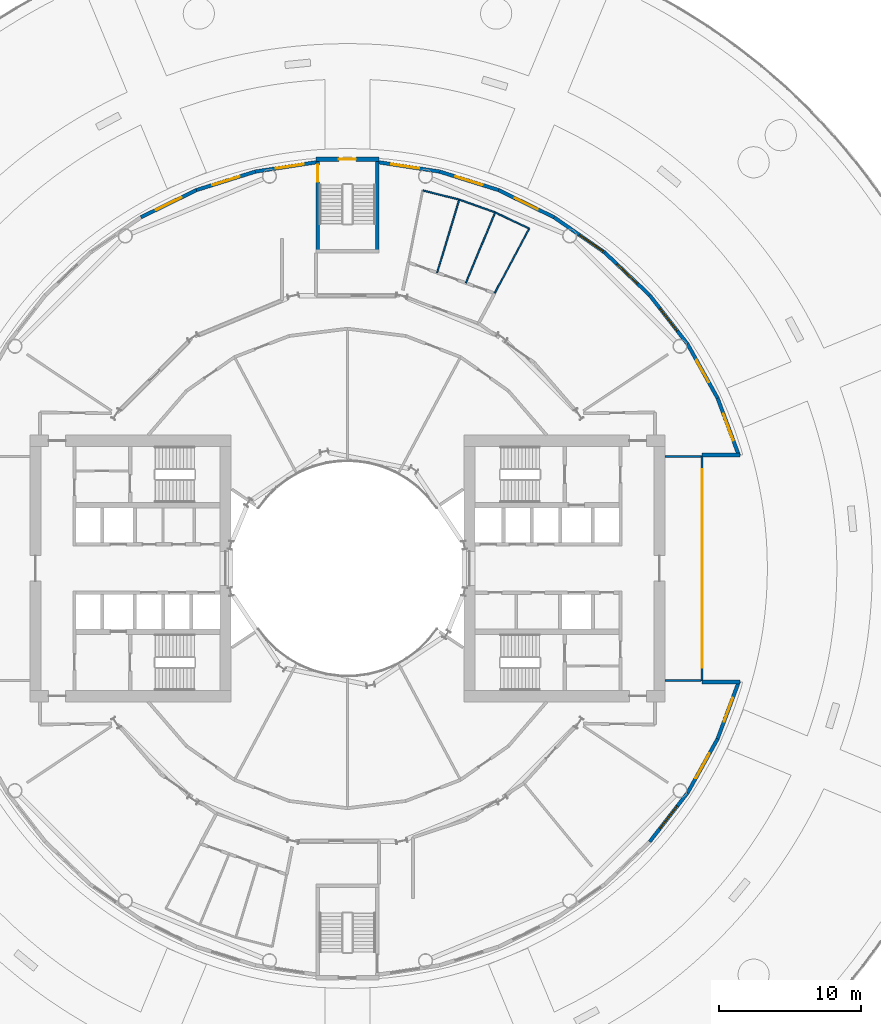
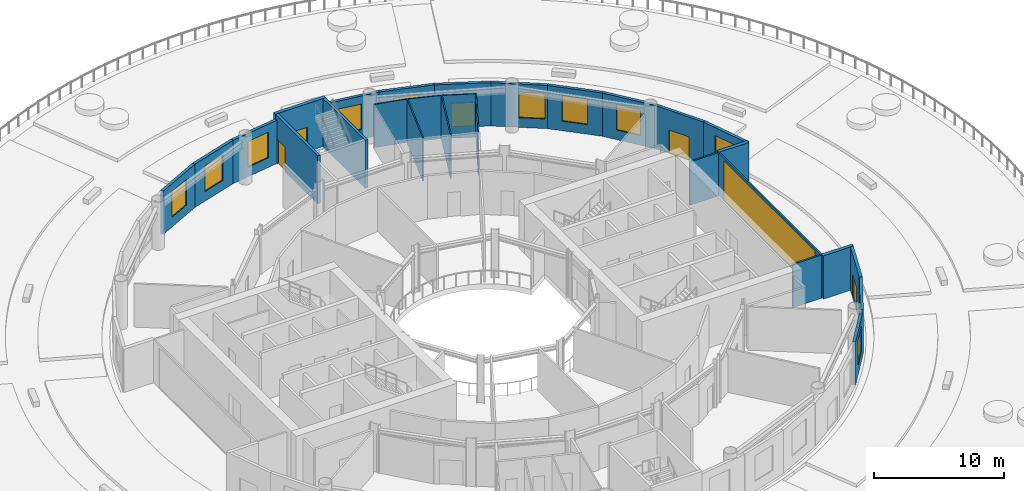
# One storey, part 15 of 19: 28 walls, 12 windows, 5 doors, 17 openings.
"""IFC4 building model written with IfcOpenShell, lengths in metres."""

from ifc_helpers import new_model, si_unit, direction, frame, frame_2d, origin, place, context, subcontext, project, spatial, rectangle, extrude, material, layer, layer_set, type_object, element, fill, save


model = new_model("IFC4")

# Units and contexts
model_context = context("Model", 3, precision=1e-05, world=origin(), true_north=direction((0.0, 1.0)))
body_context = subcontext(model_context, "Body", "Model", "MODEL_VIEW")
ifc_project = project(units=[si_unit("LENGTHUNIT", "METRE"), si_unit("AREAUNIT", "SQUARE_METRE"), si_unit("VOLUMEUNIT", "CUBIC_METRE"), si_unit("PLANEANGLEUNIT", "RADIAN"), si_unit("MASSUNIT", "GRAM", prefix="KILO")], contexts=[model_context])

# Site, building, storey
site_placement = place(None, origin())
site = spatial("IfcSite", under=ifc_project, at=site_placement, CompositionType="ELEMENT")
building_placement = place(site_placement, origin())
building = spatial("IfcBuilding", under=site, at=building_placement, Name="Maasbend Ring Residences", CompositionType="ELEMENT")
storey_placement = place(building_placement, frame((0.0, 0.0, 9.60009765625)))
storey = spatial("IfcBuildingStorey", under=building, at=storey_placement, Name="L02", CompositionType="ELEMENT", Elevation=9.60009765625)

# Wall, opening, door
ifc_material_1 = material(Name="Concrete C70/85", Category="concrete")
ifc_layer_1 = layer(ifc_material_1, 0.25)
ifc_layer_set_1 = layer_set([ifc_layer_1], Name="Concrete C70/85")
wall_type_1 = type_object("IfcWallType", Name="CORE WALL 250 C70/85", PredefinedType="SHEAR", material=ifc_layer_set_1)
wall_1_placement = place(storey_placement, frame((-2.10009765625, 28.699951171875, 0.0), z_axis=(0.0, 0.0, 1.0), x_axis=(0.0, -1.0, 0.0)))
wall_1 = element("IfcWall", 1, at=wall_1_placement, inside=storey, type_object=wall_type_1, Name="L02 ST-P4 enclosure wall WS+", PredefinedType="SHEAR", context=body_context, shape_type="SweptSolid", body=[
    extrude(rectangle(XDim=6.449951171875, YDim=0.25, at=frame_2d((3.22509765625, 0.0))), origin(), (0.0, 0.0, 1.0), 4.5),
])
opening_1_placement = place(wall_1_placement, frame((0.25, 0.0, 0.0)))
opening_1 = element("IfcOpeningElement", 2, at=opening_1_placement, cuts=wall_1, Name="Opening D-P402S", PredefinedType="OPENING", context=body_context, shape_type="SweptSolid", body=[
    extrude(rectangle(XDim=1.199951171875, YDim=2.300048828125, at=frame_2d((0.60009765625, 1.14990234375))), frame((0.0, 0.135009765625, 0.0), z_axis=(0.0, -1.0, 0.0), x_axis=(1.0, 0.0, 0.0)), (0.0, 0.0, 1.0), 0.27001953125),
])
ifc_material_2 = material(Name="Steel, powder coated", Category="steel")
door_type_1 = type_object("IfcDoorType", Name="STAIR DOOR 1200 X 2300 FD60", OperationType="NOTDEFINED", PredefinedType="DOOR", material=ifc_material_2)
door_1_placement = place(opening_1_placement, origin())
door_1 = element("IfcDoor", 3, at=door_1_placement, inside=storey, type_object=door_type_1, Name="Stair door ST-P4 L02", OperationType="SINGLE_SWING_RIGHT", OverallHeight=2.300048828125, OverallWidth=1.199951171875, PredefinedType="DOOR", context=body_context, shape_type="SweptSolid", body=[
    extrude(rectangle(XDim=1.199951171875, YDim=2.300048828125, at=frame_2d((0.60009765625, 1.14990234375))), frame((0.0, 0.02490234375, 0.0), z_axis=(0.0, -1.0, 0.0), x_axis=(1.0, 0.0, 0.0)), (0.0, 0.0, 1.0), 0.050048828125),
])
fill(opening_1, door_1)

# Wall
wall_2_placement = place(storey_placement, frame((2.10009765625, 22.25, 0.0), z_axis=(0.0, 0.0, 1.0), x_axis=(0.0, 1.0, 0.0)))
element("IfcWall", 4, at=wall_2_placement, inside=storey, type_object=wall_type_1, Name="L02 ST-P4 enclosure wall WS-", PredefinedType="SHEAR", context=body_context, shape_type="SweptSolid", body=[
    extrude(rectangle(XDim=6.449951171875, YDim=0.25, at=frame_2d((3.22509765625, 0.0))), origin(), (0.0, 0.0, 1.0), 4.5),
])

# Wall, opening, door
ifc_material_3 = material(Name="Concrete C70/85", Category="concrete")
ifc_layer_2 = layer(ifc_material_3, 0.300048828125)
ifc_layer_set_2 = layer_set([ifc_layer_2], Name="Concrete C70/85")
wall_type_2 = type_object("IfcWallType", Name="CORE WALL 300 C70/85", PredefinedType="SHEAR", material=ifc_layer_set_2)
wall_3_placement = place(storey_placement, frame((-2.22509765625, 28.85009765625, 0.0), z_axis=(0.0, 0.0, 1.0), x_axis=(1.0, 0.0, 0.0)))
wall_3 = element("IfcWall", 5, at=wall_3_placement, inside=storey, type_object=wall_type_2, Name="L02 ST-P4 enclosure wall WOUT", PredefinedType="SHEAR", context=body_context, shape_type="SweptSolid", body=[
    extrude(rectangle(XDim=4.4501953125, YDim=0.300048828125, at=frame_2d((2.22509765625, 0.0))), origin(), (0.0, 0.0, 1.0), 4.5),
])
opening_2_placement = place(wall_3_placement, frame((1.625, 0.0, 0.0)))
opening_2 = element("IfcOpeningElement", 6, at=opening_2_placement, cuts=wall_3, Name="Opening D-P402O", PredefinedType="OPENING", context=body_context, shape_type="SweptSolid", body=[
    extrude(rectangle(XDim=1.199951171875, YDim=2.300048828125, at=frame_2d((0.60009765625, 1.14990234375))), frame((0.0, 0.16015625, 0.0), z_axis=(0.0, -1.0, 0.0), x_axis=(1.0, 0.0, 0.0)), (0.0, 0.0, 1.0), 0.320068359375),
])
door_2_placement = place(opening_2_placement, origin())
door_2 = element("IfcDoor", 7, at=door_2_placement, inside=storey, type_object=door_type_1, Name="Stair door ST-P4 L02", OperationType="SINGLE_SWING_LEFT", OverallHeight=2.300048828125, OverallWidth=1.199951171875, PredefinedType="DOOR", context=body_context, shape_type="SweptSolid", body=[
    extrude(rectangle(XDim=1.199951171875, YDim=2.300048828125, at=frame_2d((0.60009765625, 1.14990234375))), frame((0.0, 0.02490234375, 0.0), z_axis=(0.0, -1.0, 0.0), x_axis=(1.0, 0.0, 0.0)), (0.0, 0.0, 1.0), 0.050048828125),
])
fill(opening_2, door_2)

# Wall, opening, window
ifc_material_4 = material(Name="Aluminium clad insulated panel", Category="aluminium")
ifc_layer_3 = layer(ifc_material_4, 0.25)
ifc_layer_set_3 = layer_set([ifc_layer_3], Name="EW-GL")
wall_type_3 = type_object("IfcWallType", Name="EW-GL", PredefinedType="SOLIDWALL", material=ifc_layer_set_3)
wall_4_placement = place(storey_placement, frame((27.610107421875, 7.924072265625, 0.0), z_axis=(0.0, 0.0, 1.0), x_axis=(-0.348003729264, 0.937493148998, 0.0)))
wall_4 = element("IfcWall", 8, at=wall_4_placement, inside=storey, type_object=wall_type_3, Name="Community floor wall 01", PredefinedType="SOLIDWALL", context=body_context, shape_type="SweptSolid", body=[
    extrude(rectangle(XDim=4.359375, YDim=0.25, at=frame_2d((2.1796875, 0.0))), origin(), (0.0, 0.0, 1.0), 4.0498046875),
])
opening_3_placement = place(wall_4_placement, frame((1.179931640625, 0.0, 0.89990234375)))
opening_3 = element("IfcOpeningElement", 9, at=opening_3_placement, cuts=wall_4, Name="Opening W-BD", PredefinedType="OPENING", context=body_context, shape_type="SweptSolid", body=[
    extrude(rectangle(XDim=2.0, YDim=2.39990234375, at=frame_2d((1.0, 1.199951171875))), frame((0.0, 0.135009765625, 0.0), z_axis=(0.0, -1.0, 0.0), x_axis=(1.0, 0.0, 0.0)), (0.0, 0.0, 1.0), 0.27001953125),
])
ifc_material_5 = material(Name="Aluminium and clear glass", Category="aluminium")
window_type_1 = type_object("IfcWindowType", Name="W-BD", PartitioningType="DOUBLE_PANEL_VERTICAL", PredefinedType="WINDOW", material=ifc_material_5)
window_1_placement = place(opening_3_placement, origin())
window_1 = element("IfcWindow", 10, at=window_1_placement, inside=storey, type_object=window_type_1, Name="Community floor window 01", OverallHeight=2.39990234375, OverallWidth=2.0, PartitioningType="SINGLE_PANEL", PredefinedType="WINDOW", context=body_context, shape_type="SweptSolid", body=[
    extrude(rectangle(XDim=2.0, YDim=2.39990234375, at=frame_2d((1.0, 1.199951171875))), frame((0.0, 0.030029296875, 0.0), z_axis=(0.0, -1.0, 0.0), x_axis=(1.0, 0.0, 0.0)), (0.0, 0.0, 1.0), 0.06005859375),
])
fill(opening_3, window_1)

# Wall, opening, door
wall_5_placement = place(storey_placement, frame((26.093017578125, 12.010986328125, 0.0), z_axis=(0.0, 0.0, 1.0), x_axis=(-0.485761785263, 0.8740912355, 0.0)))
wall_5 = element("IfcWall", 11, at=wall_5_placement, inside=storey, type_object=wall_type_3, Name="Community floor wall 02", PredefinedType="SOLIDWALL", context=body_context, shape_type="SweptSolid", body=[
    extrude(rectangle(XDim=4.360107421875, YDim=0.25, at=frame_2d((2.18017578125, 0.0))), origin(), (0.0, 0.0, 1.0), 4.0498046875),
])
opening_4_placement = place(wall_5_placement, frame((1.27978515625, 0.0, 0.0)))
opening_4 = element("IfcOpeningElement", 12, at=opening_4_placement, cuts=wall_5, Name="Opening D-DK", PredefinedType="OPENING", context=body_context, shape_type="SweptSolid", body=[
    extrude(rectangle(XDim=1.800048828125, YDim=2.199951171875, at=frame_2d((0.89990234375, 1.10009765625))), frame((0.0, 0.135009765625, 0.0), z_axis=(0.0, -1.0, 0.0), x_axis=(1.0, 0.0, 0.0)), (0.0, 0.0, 1.0), 0.27001953125),
])
ifc_material_6 = material(Name="Aluminium and clear glass", Category="aluminium")
door_type_2 = type_object("IfcDoorType", Name="D-DK", OperationType="DOUBLE_DOOR_SINGLE_SWING", PredefinedType="DOOR", material=ifc_material_6)
door_3_placement = place(opening_4_placement, origin())
door_3 = element("IfcDoor", 13, at=door_3_placement, inside=storey, type_object=door_type_2, Name="Deck door 02", OperationType="SINGLE_SWING_LEFT", OverallHeight=2.199951171875, OverallWidth=1.800048828125, PredefinedType="DOOR", context=body_context, shape_type="SweptSolid", body=[
    extrude(rectangle(XDim=1.800048828125, YDim=2.199951171875, at=frame_2d((0.89990234375, 1.10009765625))), frame((0.0, 0.02490234375, 0.0), z_axis=(0.0, -1.0, 0.0), x_axis=(1.0, 0.0, 0.0)), (0.0, 0.0, 1.0), 0.050048828125),
])
fill(opening_4, door_3)

# Wall, opening, window
wall_6_placement = place(storey_placement, frame((23.97509765625, 15.822021484375, 0.0), z_axis=(0.0, 0.0, 1.0), x_axis=(-0.612637256412, 0.790364214812, 0.0)))
wall_6 = element("IfcWall", 14, at=wall_6_placement, inside=storey, type_object=wall_type_3, Name="Community floor wall 03", PredefinedType="SOLIDWALL", context=body_context, shape_type="SweptSolid", body=[
    extrude(rectangle(XDim=4.360107421875, YDim=0.25, at=frame_2d((2.18017578125, 0.0))), origin(), (0.0, 0.0, 1.0), 4.0498046875),
])
opening_5_placement = place(wall_6_placement, frame((1.179931640625, 0.0, 0.89990234375)))
opening_5 = element("IfcOpeningElement", 15, at=opening_5_placement, cuts=wall_6, Name="Opening W-BD", PredefinedType="OPENING", context=body_context, shape_type="SweptSolid", body=[
    extrude(rectangle(XDim=2.0, YDim=2.39990234375, at=frame_2d((1.0, 1.199951171875))), frame((0.0, 0.135009765625, 0.0), z_axis=(0.0, -1.0, 0.0), x_axis=(1.0, 0.0, 0.0)), (0.0, 0.0, 1.0), 0.27001953125),
])
window_2_placement = place(opening_5_placement, origin())
window_2 = element("IfcWindow", 16, at=window_2_placement, inside=storey, type_object=window_type_1, Name="Community floor window 03", OverallHeight=2.39990234375, OverallWidth=2.0, PartitioningType="SINGLE_PANEL", PredefinedType="WINDOW", context=body_context, shape_type="SweptSolid", body=[
    extrude(rectangle(XDim=2.0, YDim=2.39990234375, at=frame_2d((1.0, 1.199951171875))), frame((0.0, 0.030029296875, 0.0), z_axis=(0.0, -1.0, 0.0), x_axis=(1.0, 0.0, 0.0)), (0.0, 0.0, 1.0), 0.06005859375),
])
fill(opening_5, window_2)

wall_7_placement = place(storey_placement, frame((21.303955078125, 19.26806640625, 0.0), z_axis=(0.0, 0.0, 1.0), x_axis=(-0.725101501119, 0.68864200647, 0.0)))
wall_7 = element("IfcWall", 17, at=wall_7_placement, inside=storey, type_object=wall_type_3, Name="Community floor wall 04", PredefinedType="SOLIDWALL", context=body_context, shape_type="SweptSolid", body=[
    extrude(rectangle(XDim=4.359130859375, YDim=0.25, at=frame_2d((2.1796875, 0.0))), origin(), (0.0, 0.0, 1.0), 4.0498046875),
])
opening_6_placement = place(wall_7_placement, frame((1.179931640625, 0.0, 0.89990234375)))
opening_6 = element("IfcOpeningElement", 18, at=opening_6_placement, cuts=wall_7, Name="Opening W-BD", PredefinedType="OPENING", context=body_context, shape_type="SweptSolid", body=[
    extrude(rectangle(XDim=2.0, YDim=2.39990234375, at=frame_2d((1.0, 1.199951171875))), frame((0.0, 0.135009765625, 0.0), z_axis=(0.0, -1.0, 0.0), x_axis=(1.0, 0.0, 0.0)), (0.0, 0.0, 1.0), 0.27001953125),
])
window_3_placement = place(opening_6_placement, origin())
window_3 = element("IfcWindow", 19, at=window_3_placement, inside=storey, type_object=window_type_1, Name="Community floor window 04", OverallHeight=2.39990234375, OverallWidth=2.0, PartitioningType="SINGLE_PANEL", PredefinedType="WINDOW", context=body_context, shape_type="SweptSolid", body=[
    extrude(rectangle(XDim=2.0, YDim=2.39990234375, at=frame_2d((1.0, 1.199951171875))), frame((0.0, 0.030029296875, 0.0), z_axis=(0.0, -1.0, 0.0), x_axis=(1.0, 0.0, 0.0)), (0.0, 0.0, 1.0), 0.06005859375),
])
fill(opening_6, window_3)

wall_8_placement = place(storey_placement, frame((18.14306640625, 22.27001953125, 0.0), z_axis=(0.0, 0.0, 1.0), x_axis=(-0.820990800869, 0.57094141984, 0.0)))
wall_8 = element("IfcWall", 20, at=wall_8_placement, inside=storey, type_object=wall_type_3, Name="Community floor wall 05", PredefinedType="SOLIDWALL", context=body_context, shape_type="SweptSolid", body=[
    extrude(rectangle(XDim=4.359375, YDim=0.25, at=frame_2d((2.1796875, 0.0))), origin(), (0.0, 0.0, 1.0), 4.0498046875),
])
opening_7_placement = place(wall_8_placement, frame((0.177001953125, 0.0, 0.89990234375)))
opening_7 = element("IfcOpeningElement", 21, at=opening_7_placement, cuts=wall_8, Name="Opening W-BD", PredefinedType="OPENING", context=body_context, shape_type="SweptSolid", body=[
    extrude(rectangle(XDim=2.0, YDim=2.39990234375, at=frame_2d((1.0, 1.199951171875))), frame((0.0, 0.135009765625, 0.0), z_axis=(0.0, -1.0, 0.0), x_axis=(1.0, 0.0, 0.0)), (0.0, 0.0, 1.0), 0.27001953125),
])
window_4_placement = place(opening_7_placement, origin())
window_4 = element("IfcWindow", 22, at=window_4_placement, inside=storey, type_object=window_type_1, Name="Community floor window 05", OverallHeight=2.39990234375, OverallWidth=2.0, PartitioningType="SINGLE_PANEL", PredefinedType="WINDOW", context=body_context, shape_type="SweptSolid", body=[
    extrude(rectangle(XDim=2.0, YDim=2.39990234375, at=frame_2d((1.0, 1.199951171875))), frame((0.0, 0.030029296875, 0.0), z_axis=(0.0, -1.0, 0.0), x_axis=(1.0, 0.0, 0.0)), (0.0, 0.0, 1.0), 0.06005859375),
])
fill(opening_7, window_4)

# Wall, opening, door
wall_9_placement = place(storey_placement, frame((14.56396484375, 24.759033203125, 0.0), z_axis=(0.0, 0.0, 1.0), x_axis=(-0.897938079481, 0.440121807478, 0.0)))
wall_9 = element("IfcWall", 23, at=wall_9_placement, inside=storey, type_object=wall_type_3, Name="Community floor wall 06", PredefinedType="SOLIDWALL", context=body_context, shape_type="SweptSolid", body=[
    extrude(rectangle(XDim=4.360107421875, YDim=0.25, at=frame_2d((2.18017578125, 0.0))), origin(), (0.0, 0.0, 1.0), 4.0498046875),
])
opening_8_placement = place(wall_9_placement, frame((1.27978515625, 0.0, 0.0)))
opening_8 = element("IfcOpeningElement", 24, at=opening_8_placement, cuts=wall_9, Name="Opening D-DK", PredefinedType="OPENING", context=body_context, shape_type="SweptSolid", body=[
    extrude(rectangle(XDim=1.800048828125, YDim=2.199951171875, at=frame_2d((0.89990234375, 1.10009765625))), frame((0.0, 0.135009765625, 0.0), z_axis=(0.0, -1.0, 0.0), x_axis=(1.0, 0.0, 0.0)), (0.0, 0.0, 1.0), 0.27001953125),
])
door_4_placement = place(opening_8_placement, origin())
door_4 = element("IfcDoor", 25, at=door_4_placement, inside=storey, type_object=door_type_2, Name="Deck door 06", OperationType="SINGLE_SWING_LEFT", OverallHeight=2.199951171875, OverallWidth=1.800048828125, PredefinedType="DOOR", context=body_context, shape_type="SweptSolid", body=[
    extrude(rectangle(XDim=1.800048828125, YDim=2.199951171875, at=frame_2d((0.89990234375, 1.10009765625))), frame((0.0, 0.02490234375, 0.0), z_axis=(0.0, -1.0, 0.0), x_axis=(1.0, 0.0, 0.0)), (0.0, 0.0, 1.0), 0.050048828125),
])
fill(opening_8, door_4)

# Wall, opening, window
wall_10_placement = place(storey_placement, frame((10.64892578125, 26.677978515625, 0.0), z_axis=(0.0, 0.0, 1.0), x_axis=(-0.954219534331, 0.299107138498, 0.0)))
wall_10 = element("IfcWall", 26, at=wall_10_placement, inside=storey, type_object=wall_type_3, Name="Community floor wall 07", PredefinedType="SOLIDWALL", context=body_context, shape_type="SweptSolid", body=[
    extrude(rectangle(XDim=4.359375, YDim=0.25, at=frame_2d((2.1796875, 0.0))), origin(), (0.0, 0.0, 1.0), 4.0498046875),
])
opening_9_placement = place(wall_10_placement, frame((1.179931640625, 0.0, 0.89990234375)))
opening_9 = element("IfcOpeningElement", 27, at=opening_9_placement, cuts=wall_10, Name="Opening W-BD", PredefinedType="OPENING", context=body_context, shape_type="SweptSolid", body=[
    extrude(rectangle(XDim=2.0, YDim=2.39990234375, at=frame_2d((1.0, 1.199951171875))), frame((0.0, 0.135009765625, 0.0), z_axis=(0.0, -1.0, 0.0), x_axis=(1.0, 0.0, 0.0)), (0.0, 0.0, 1.0), 0.27001953125),
])
window_5_placement = place(opening_9_placement, origin())
window_5 = element("IfcWindow", 28, at=window_5_placement, inside=storey, type_object=window_type_1, Name="Community floor window 07", OverallHeight=2.39990234375, OverallWidth=2.0, PartitioningType="SINGLE_PANEL", PredefinedType="WINDOW", context=body_context, shape_type="SweptSolid", body=[
    extrude(rectangle(XDim=2.0, YDim=2.39990234375, at=frame_2d((1.0, 1.199951171875))), frame((0.0, 0.030029296875, 0.0), z_axis=(0.0, -1.0, 0.0), x_axis=(1.0, 0.0, 0.0)), (0.0, 0.0, 1.0), 0.06005859375),
])
fill(opening_9, window_5)

wall_11_placement = place(storey_placement, frame((6.489013671875, 27.98193359375, 0.0), z_axis=(0.0, 0.0, 1.0), x_axis=(-0.988472895049, 0.151397938406, 0.0)))
wall_11 = element("IfcWall", 29, at=wall_11_placement, inside=storey, type_object=wall_type_3, Name="Community floor wall 08a", PredefinedType="SOLIDWALL", context=body_context, shape_type="SweptSolid", body=[
    extrude(rectangle(XDim=4.313720703125, YDim=0.25, at=frame_2d((2.15673828125, 0.0))), origin(), (0.0, 0.0, 1.0), 4.0498046875),
])
opening_10_placement = place(wall_11_placement, frame((1.455322265625, 0.0, 0.89990234375)))
opening_10 = element("IfcOpeningElement", 30, at=opening_10_placement, cuts=wall_11, Name="Opening W-BD", PredefinedType="OPENING", context=body_context, shape_type="SweptSolid", body=[
    extrude(rectangle(XDim=2.0, YDim=2.39990234375, at=frame_2d((1.0, 1.199951171875))), frame((0.0, 0.135009765625, 0.0), z_axis=(0.0, -1.0, 0.0), x_axis=(1.0, 0.0, 0.0)), (0.0, 0.0, 1.0), 0.27001953125),
])
window_6_placement = place(opening_10_placement, origin())
window_6 = element("IfcWindow", 31, at=window_6_placement, inside=storey, type_object=window_type_1, Name="Community floor window 08a", OverallHeight=2.39990234375, OverallWidth=2.0, PartitioningType="SINGLE_PANEL", PredefinedType="WINDOW", context=body_context, shape_type="SweptSolid", body=[
    extrude(rectangle(XDim=2.0, YDim=2.39990234375, at=frame_2d((1.0, 1.199951171875))), frame((0.0, 0.030029296875, 0.0), z_axis=(0.0, -1.0, 0.0), x_axis=(1.0, 0.0, 0.0)), (0.0, 0.0, 1.0), 0.06005859375),
])
fill(opening_10, window_6)

wall_12_placement = place(storey_placement, frame((-2.22509765625, 28.635009765625, 0.0), z_axis=(0.0, 0.0, 1.0), x_axis=(-0.988472895049, -0.151397938406, 0.0)))
wall_12 = element("IfcWall", 32, at=wall_12_placement, inside=storey, type_object=wall_type_3, Name="Community floor wall 10a", PredefinedType="SOLIDWALL", context=body_context, shape_type="SweptSolid", body=[
    extrude(rectangle(XDim=4.313720703125, YDim=0.25, at=frame_2d((2.15673828125, 0.0))), origin(), (0.0, 0.0, 1.0), 4.0498046875),
])
opening_11_placement = place(wall_12_placement, frame((0.858642578125, 0.0, 0.89990234375)))
opening_11 = element("IfcOpeningElement", 33, at=opening_11_placement, cuts=wall_12, Name="Opening W-BD", PredefinedType="OPENING", context=body_context, shape_type="SweptSolid", body=[
    extrude(rectangle(XDim=2.0, YDim=2.39990234375, at=frame_2d((1.0, 1.199951171875))), frame((0.0, 0.135009765625, 0.0), z_axis=(0.0, -1.0, 0.0), x_axis=(1.0, 0.0, 0.0)), (0.0, 0.0, 1.0), 0.27001953125),
])
window_7_placement = place(opening_11_placement, origin())
window_7 = element("IfcWindow", 34, at=window_7_placement, inside=storey, type_object=window_type_1, Name="Community floor window 10a", OverallHeight=2.39990234375, OverallWidth=2.0, PartitioningType="SINGLE_PANEL", PredefinedType="WINDOW", context=body_context, shape_type="SweptSolid", body=[
    extrude(rectangle(XDim=2.0, YDim=2.39990234375, at=frame_2d((1.0, 1.199951171875))), frame((0.0, 0.030029296875, 0.0), z_axis=(0.0, -1.0, 0.0), x_axis=(1.0, 0.0, 0.0)), (0.0, 0.0, 1.0), 0.06005859375),
])
fill(opening_11, window_7)

wall_13_placement = place(storey_placement, frame((-6.489013671875, 27.98193359375, 0.0), z_axis=(0.0, 0.0, 1.0), x_axis=(-0.954219534331, -0.299107138498, 0.0)))
wall_13 = element("IfcWall", 35, at=wall_13_placement, inside=storey, type_object=wall_type_3, Name="Community floor wall 11", PredefinedType="SOLIDWALL", context=body_context, shape_type="SweptSolid", body=[
    extrude(rectangle(XDim=4.359375, YDim=0.25, at=frame_2d((2.1796875, 0.0))), origin(), (0.0, 0.0, 1.0), 4.0498046875),
])
opening_12_placement = place(wall_13_placement, frame((1.179931640625, 0.0, 0.89990234375)))
opening_12 = element("IfcOpeningElement", 36, at=opening_12_placement, cuts=wall_13, Name="Opening W-BD", PredefinedType="OPENING", context=body_context, shape_type="SweptSolid", body=[
    extrude(rectangle(XDim=2.0, YDim=2.39990234375, at=frame_2d((1.0, 1.199951171875))), frame((0.0, 0.135009765625, 0.0), z_axis=(0.0, -1.0, 0.0), x_axis=(1.0, 0.0, 0.0)), (0.0, 0.0, 1.0), 0.27001953125),
])
window_8_placement = place(opening_12_placement, origin())
window_8 = element("IfcWindow", 37, at=window_8_placement, inside=storey, type_object=window_type_1, Name="Community floor window 11", OverallHeight=2.39990234375, OverallWidth=2.0, PartitioningType="SINGLE_PANEL", PredefinedType="WINDOW", context=body_context, shape_type="SweptSolid", body=[
    extrude(rectangle(XDim=2.0, YDim=2.39990234375, at=frame_2d((1.0, 1.199951171875))), frame((0.0, 0.030029296875, 0.0), z_axis=(0.0, -1.0, 0.0), x_axis=(1.0, 0.0, 0.0)), (0.0, 0.0, 1.0), 0.06005859375),
])
fill(opening_12, window_8)

wall_14_placement = place(storey_placement, frame((-10.64892578125, 26.677978515625, 0.0), z_axis=(0.0, 0.0, 1.0), x_axis=(-0.897938079481, -0.440121807478, 0.0)))
wall_14 = element("IfcWall", 38, at=wall_14_placement, inside=storey, type_object=wall_type_3, Name="Community floor wall 12", PredefinedType="SOLIDWALL", context=body_context, shape_type="SweptSolid", body=[
    extrude(rectangle(XDim=4.360107421875, YDim=0.25, at=frame_2d((2.18017578125, 0.0))), origin(), (0.0, 0.0, 1.0), 4.0498046875),
])
opening_13_placement = place(wall_14_placement, frame((1.179931640625, 0.0, 0.89990234375)))
opening_13 = element("IfcOpeningElement", 39, at=opening_13_placement, cuts=wall_14, Name="Opening W-BD", PredefinedType="OPENING", context=body_context, shape_type="SweptSolid", body=[
    extrude(rectangle(XDim=2.0, YDim=2.39990234375, at=frame_2d((1.0, 1.199951171875))), frame((0.0, 0.135009765625, 0.0), z_axis=(0.0, -1.0, 0.0), x_axis=(1.0, 0.0, 0.0)), (0.0, 0.0, 1.0), 0.27001953125),
])
window_9_placement = place(opening_13_placement, origin())
window_9 = element("IfcWindow", 40, at=window_9_placement, inside=storey, type_object=window_type_1, Name="Community floor window 12", OverallHeight=2.39990234375, OverallWidth=2.0, PartitioningType="SINGLE_PANEL", PredefinedType="WINDOW", context=body_context, shape_type="SweptSolid", body=[
    extrude(rectangle(XDim=2.0, YDim=2.39990234375, at=frame_2d((1.0, 1.199951171875))), frame((0.0, 0.030029296875, 0.0), z_axis=(0.0, -1.0, 0.0), x_axis=(1.0, 0.0, 0.0)), (0.0, 0.0, 1.0), 0.06005859375),
])
fill(opening_13, window_9)

wall_15_placement = place(storey_placement, frame((21.303955078125, -19.26806640625, 0.0), z_axis=(0.0, 0.0, 1.0), x_axis=(0.612637256412, 0.790364214812, 0.0)))
wall_15 = element("IfcWall", 41, at=wall_15_placement, inside=storey, type_object=wall_type_3, Name="Community floor wall 32", PredefinedType="SOLIDWALL", context=body_context, shape_type="SweptSolid", body=[
    extrude(rectangle(XDim=4.360107421875, YDim=0.25, at=frame_2d((2.18017578125, 0.0))), origin(), (0.0, 0.0, 1.0), 4.0498046875),
])
opening_14_placement = place(wall_15_placement, frame((1.179931640625, 0.0, 0.89990234375)))
opening_14 = element("IfcOpeningElement", 42, at=opening_14_placement, cuts=wall_15, Name="Opening W-BD", PredefinedType="OPENING", context=body_context, shape_type="SweptSolid", body=[
    extrude(rectangle(XDim=2.0, YDim=2.39990234375, at=frame_2d((1.0, 1.199951171875))), frame((0.0, 0.135009765625, 0.0), z_axis=(0.0, -1.0, 0.0), x_axis=(1.0, 0.0, 0.0)), (0.0, 0.0, 1.0), 0.27001953125),
])
window_10_placement = place(opening_14_placement, origin())
window_10 = element("IfcWindow", 43, at=window_10_placement, inside=storey, type_object=window_type_1, Name="Community floor window 32", OverallHeight=2.39990234375, OverallWidth=2.0, PartitioningType="SINGLE_PANEL", PredefinedType="WINDOW", context=body_context, shape_type="SweptSolid", body=[
    extrude(rectangle(XDim=2.0, YDim=2.39990234375, at=frame_2d((1.0, 1.199951171875))), frame((0.0, 0.030029296875, 0.0), z_axis=(0.0, -1.0, 0.0), x_axis=(1.0, 0.0, 0.0)), (0.0, 0.0, 1.0), 0.06005859375),
])
fill(opening_14, window_10)

wall_16_placement = place(storey_placement, frame((23.97509765625, -15.822021484375, 0.0), z_axis=(0.0, 0.0, 1.0), x_axis=(0.485761785263, 0.8740912355, 0.0)))
wall_16 = element("IfcWall", 44, at=wall_16_placement, inside=storey, type_object=wall_type_3, Name="Community floor wall 33", PredefinedType="SOLIDWALL", context=body_context, shape_type="SweptSolid", body=[
    extrude(rectangle(XDim=4.360107421875, YDim=0.25, at=frame_2d((2.18017578125, 0.0))), origin(), (0.0, 0.0, 1.0), 4.0498046875),
])
opening_15_placement = place(wall_16_placement, frame((1.179931640625, 0.0, 0.89990234375)))
opening_15 = element("IfcOpeningElement", 45, at=opening_15_placement, cuts=wall_16, Name="Opening W-BD", PredefinedType="OPENING", context=body_context, shape_type="SweptSolid", body=[
    extrude(rectangle(XDim=2.0, YDim=2.39990234375, at=frame_2d((1.0, 1.199951171875))), frame((0.0, 0.135009765625, 0.0), z_axis=(0.0, -1.0, 0.0), x_axis=(1.0, 0.0, 0.0)), (0.0, 0.0, 1.0), 0.27001953125),
])
window_11_placement = place(opening_15_placement, origin())
window_11 = element("IfcWindow", 46, at=window_11_placement, inside=storey, type_object=window_type_1, Name="Community floor window 33", OverallHeight=2.39990234375, OverallWidth=2.0, PartitioningType="SINGLE_PANEL", PredefinedType="WINDOW", context=body_context, shape_type="SweptSolid", body=[
    extrude(rectangle(XDim=2.0, YDim=2.39990234375, at=frame_2d((1.0, 1.199951171875))), frame((0.0, 0.030029296875, 0.0), z_axis=(0.0, -1.0, 0.0), x_axis=(1.0, 0.0, 0.0)), (0.0, 0.0, 1.0), 0.06005859375),
])
fill(opening_15, window_11)

# Wall, opening, door
wall_17_placement = place(storey_placement, frame((26.093017578125, -12.010986328125, 0.0), z_axis=(0.0, 0.0, 1.0), x_axis=(0.348003729264, 0.937493148998, 0.0)))
wall_17 = element("IfcWall", 47, at=wall_17_placement, inside=storey, type_object=wall_type_3, Name="Community floor wall 34", PredefinedType="SOLIDWALL", context=body_context, shape_type="SweptSolid", body=[
    extrude(rectangle(XDim=4.359375, YDim=0.25, at=frame_2d((2.1796875, 0.0))), origin(), (0.0, 0.0, 1.0), 4.0498046875),
])
opening_16_placement = place(wall_17_placement, frame((1.27978515625, 0.0, 0.0)))
opening_16 = element("IfcOpeningElement", 48, at=opening_16_placement, cuts=wall_17, Name="Opening D-DK", PredefinedType="OPENING", context=body_context, shape_type="SweptSolid", body=[
    extrude(rectangle(XDim=1.800048828125, YDim=2.199951171875, at=frame_2d((0.89990234375, 1.10009765625))), frame((0.0, 0.135009765625, 0.0), z_axis=(0.0, -1.0, 0.0), x_axis=(1.0, 0.0, 0.0)), (0.0, 0.0, 1.0), 0.27001953125),
])
door_5_placement = place(opening_16_placement, origin())
door_5 = element("IfcDoor", 49, at=door_5_placement, inside=storey, type_object=door_type_2, Name="Deck door 34", OperationType="SINGLE_SWING_LEFT", OverallHeight=2.199951171875, OverallWidth=1.800048828125, PredefinedType="DOOR", context=body_context, shape_type="SweptSolid", body=[
    extrude(rectangle(XDim=1.800048828125, YDim=2.199951171875, at=frame_2d((0.89990234375, 1.10009765625))), frame((0.0, 0.02490234375, 0.0), z_axis=(0.0, -1.0, 0.0), x_axis=(1.0, 0.0, 0.0)), (0.0, 0.0, 1.0), 0.050048828125),
])
fill(opening_16, door_5)

# Walls
ifc_material_7 = material(Name="Aluminium clad insulated panel", Category="aluminium")
ifc_layer_4 = layer(ifc_material_7, 0.300048828125)
ifc_layer_set_4 = layer_set([ifc_layer_4], Name="EW-RET")
wall_type_4 = type_object("IfcWallType", Name="EW-RET", PredefinedType="SOLIDWALL", material=ifc_layer_set_4)
for number, where, z_axis, x_axis, name in (
    (50, (25.0, 8.0, 0.0), (0.0, 0.0, 1.0), (1.0, 0.0, 0.0), "Notch return wall east north"),
    (51, (25.0, -8.0, 0.0), (0.0, 0.0, 1.0), (1.0, 0.0, 0.0), "Notch return wall east south"),
):
    element("IfcWall", number, at=place(storey_placement, frame(where, z_axis=z_axis, x_axis=x_axis)), inside=storey, type_object=wall_type_4, Name=name, PredefinedType="SOLIDWALL", context=body_context, shape_type="SweptSolid", body=[
        extrude(rectangle(XDim=2.6669921875, YDim=0.300048828125, at=frame_2d((1.33349609375, 0.0))), origin(), (0.0, 0.0, 1.0), 4.0498046875),
    ])

# Wall, opening, window
ifc_material_8 = material(Name="Aluminium frame and clear glass", Category="aluminium")
ifc_layer_5 = layer(ifc_material_8, 0.1201171875)
ifc_layer_set_5 = layer_set([ifc_layer_5], Name="GLAZED SCREEN WALL 120 EI 60")
wall_type_5 = type_object("IfcWallType", Name="GLAZED SCREEN WALL 120 EI 60", PredefinedType="PARTITIONING", material=ifc_layer_set_5)
wall_18_placement = place(storey_placement, frame((25.0, -7.949951171875, 0.0), z_axis=(0.0, 0.0, 1.0), x_axis=(0.0, 1.0, 0.0)))
wall_18 = element("IfcWall", 52, at=wall_18_placement, inside=storey, type_object=wall_type_5, Name="L02 core E wall FACE", PredefinedType="PARTITIONING", context=body_context, shape_type="SweptSolid", body=[
    extrude(rectangle(XDim=15.89990234375, YDim=0.1201171875, at=frame_2d((7.949951171875, 0.0))), origin(), (0.0, 0.0, 1.0), 4.0498046875),
])
opening_17_placement = place(wall_18_placement, frame((0.949951171875, 0.0, 0.10009765625)))
opening_17 = element("IfcOpeningElement", 53, at=opening_17_placement, cuts=wall_18, Name="Opening W-E0202", PredefinedType="OPENING", context=body_context, shape_type="SweptSolid", body=[
    extrude(rectangle(XDim=14.0, YDim=3.699951171875, at=frame_2d((7.0, 1.85009765625))), frame((0.0, 0.070068359375, 0.0), z_axis=(0.0, -1.0, 0.0), x_axis=(1.0, 0.0, 0.0)), (0.0, 0.0, 1.0), 0.14013671875),
])
ifc_material_9 = material(Name="Aluminium frame and clear glass", Category="aluminium")
window_type_2 = type_object("IfcWindowType", Name="FIXED WINDOW 14000 X 3700", PartitioningType="SINGLE_PANEL", PredefinedType="WINDOW", material=ifc_material_9)
window_12_placement = place(opening_17_placement, origin())
window_12 = element("IfcWindow", 54, at=window_12_placement, inside=storey, type_object=window_type_2, Name="Lobby window L02", OverallHeight=3.699951171875, OverallWidth=14.0, PartitioningType="SINGLE_PANEL", PredefinedType="WINDOW", context=body_context, shape_type="SweptSolid", body=[
    extrude(rectangle(XDim=14.0, YDim=3.699951171875, at=frame_2d((7.0, 1.85009765625))), frame((0.0, 0.030029296875, 0.0), z_axis=(0.0, -1.0, 0.0), x_axis=(1.0, 0.0, 0.0)), (0.0, 0.0, 1.0), 0.06005859375),
])
fill(opening_17, window_12)

# Walls
ifc_material_10 = material(Name="Gypsum board on steel studs", Category="steel")
ifc_layer_6 = layer(ifc_material_10, 0.10009765625)
ifc_layer_set_6 = layer_set([ifc_layer_6], Name="PARTITION 100 GYPSUM")
wall_type_6 = type_object("IfcWallType", Name="PARTITION 100 GYPSUM", PredefinedType="PARTITIONING", material=ifc_layer_set_6)
wall_19_placement = place(storey_placement, frame((6.319091796875, 20.85205078125, 0.0), z_axis=(0.0, 0.0, 1.0), x_axis=(0.289987267861, 0.957030503421, 0.0)))
element("IfcWall", 55, at=wall_19_placement, inside=storey, type_object=wall_type_6, Name="U-L02-w043", PredefinedType="PARTITIONING", context=body_context, shape_type="SweptSolid", body=[
    extrude(rectangle(XDim=5.386474609375, YDim=0.10009765625, at=frame_2d((2.693359375, 0.0))), origin(), (0.0, 0.0, 1.0), 4.0498046875),
])
wall_20_placement = place(storey_placement, frame((8.344970703125, 20.126953125, 0.0), z_axis=(0.0, 0.0, 1.0), x_axis=(0.382973519041, 0.923759321313, 0.0)))
element("IfcWall", 56, at=wall_20_placement, inside=storey, type_object=wall_type_6, Name="U-L02-w044", PredefinedType="PARTITIONING", context=body_context, shape_type="SweptSolid", body=[
    extrude(rectangle(XDim=5.38671875, YDim=0.10009765625, at=frame_2d((2.693359375, 0.0))), origin(), (0.0, 0.0, 1.0), 4.0498046875),
])
wall_21_placement = place(storey_placement, frame((10.373046875, 19.40087890625, 0.0), z_axis=(0.0, 0.0, 1.0), x_axis=(0.471444958676, 0.881895487537, 0.0)))
element("IfcWall", 57, at=wall_21_placement, inside=storey, type_object=wall_type_6, Name="U-L02-w046", PredefinedType="PARTITIONING", context=body_context, shape_type="SweptSolid", body=[
    extrude(rectangle(XDim=5.175537109375, YDim=0.10009765625, at=frame_2d((2.587890625, 0.0))), origin(), (0.0, 0.0, 1.0), 4.0498046875),
])
wall_22_placement = place(storey_placement, frame((10.425048828125, 25.093994140625, 0.0), z_axis=(0.0, 0.0, 1.0), x_axis=(0.904075542006, -0.427372687882, 0.0)))
element("IfcWall", 58, at=wall_22_placement, inside=storey, type_object=wall_type_6, Name="U-L02-w074", PredefinedType="PARTITIONING", context=body_context, shape_type="SweptSolid", body=[
    extrude(rectangle(XDim=2.6181640625, YDim=0.10009765625, at=frame_2d((1.30908203125, 0.0))), origin(), (0.0, 0.0, 1.0), 4.0498046875),
])
wall_23_placement = place(storey_placement, frame((7.89892578125, 26.0009765625, 0.0), z_axis=(0.0, 0.0, 1.0), x_axis=(0.94150976765, -0.336985693198, 0.0)))
element("IfcWall", 59, at=wall_23_placement, inside=storey, type_object=wall_type_6, Name="U-L02-w075", PredefinedType="PARTITIONING", context=body_context, shape_type="SweptSolid", body=[
    extrude(rectangle(XDim=2.6435546875, YDim=0.10009765625, at=frame_2d((1.32177734375, 0.0))), origin(), (0.0, 0.0, 1.0), 4.0498046875),
])
wall_24_placement = place(storey_placement, frame((5.321044921875, 26.64794921875, 0.0), z_axis=(0.0, 0.0, 1.0), x_axis=(0.970054682641, -0.242886625171, 0.0)))
element("IfcWall", 60, at=wall_24_placement, inside=storey, type_object=wall_type_6, Name="U-L02-w076", PredefinedType="PARTITIONING", context=body_context, shape_type="SweptSolid", body=[
    extrude(rectangle(XDim=2.618408203125, YDim=0.10009765625, at=frame_2d((1.30908203125, 0.0))), origin(), (0.0, 0.0, 1.0), 4.0498046875),
])
ifc_material_11 = material(Name="Gypsum board on steel studs", Category="steel")
ifc_layer_7 = layer(ifc_material_11, 0.14990234375)
ifc_layer_set_7 = layer_set([ifc_layer_7], Name="PARTITION 150 EI 60")
wall_type_7 = type_object("IfcWallType", Name="PARTITION 150 EI 60", PredefinedType="PARTITIONING", material=ifc_layer_set_7)
for number, where, z_axis, x_axis, name in (
    (61, (22.39990234375, -7.89990234375, 0.0), (0.0, 0.0, 1.0), (1.0, 0.0, 0.0), "L02 core E wall CITS"),
    (62, (22.39990234375, 7.89990234375, 0.0), (0.0, 0.0, 1.0), (1.0, 0.0, 0.0), "L02 core E wall CITN"),
):
    element("IfcWall", number, at=place(storey_placement, frame(where, z_axis=z_axis, x_axis=x_axis)), inside=storey, type_object=wall_type_7, Name=name, PredefinedType="PARTITIONING", context=body_context, shape_type="SweptSolid", body=[
        extrude(rectangle(XDim=2.5400390625, YDim=0.14990234375, at=frame_2d((1.27001953125, 0.0))), origin(), (0.0, 0.0, 1.0), 4.0498046875),
    ])

save(model, "model.ifc")
